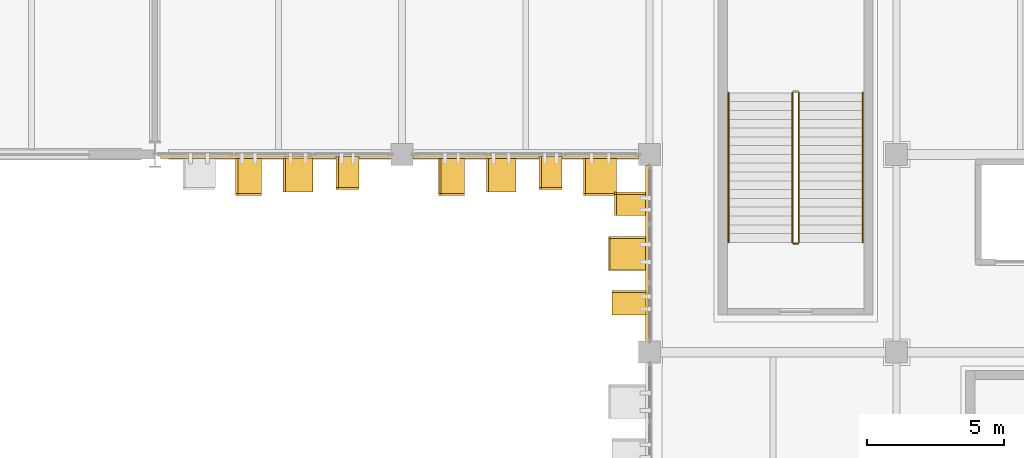
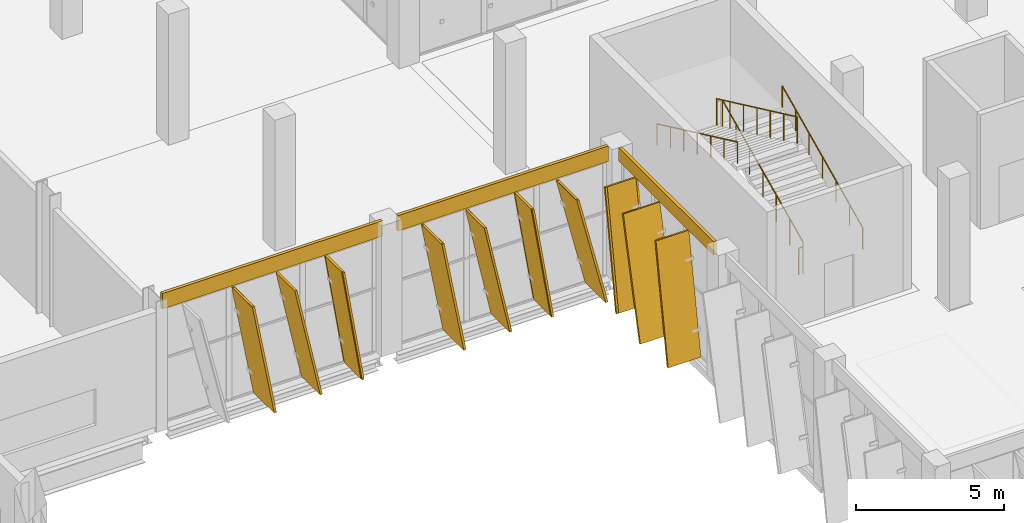
# One storey, part 115 of 137: 13 coverings, 10 shading devices, 5 railings.
"""IFC4 building model written with IfcOpenShell, lengths in metres."""

from ifc_helpers import new_model, si_unit, direction, frame, origin, origin_2d, place, context, subcontext, project, spatial, rectangle, circle, extrude, material, layer, layer_set, material_profile, profile_set, type_object, element, save


model = new_model("IFC4")

# Units and contexts
model_context = context("Model", 3, precision=1e-05, world=origin(), true_north=direction((0.0, 1.0)))
body_context = subcontext(model_context, "Body", "Model", "MODEL_VIEW")
ifc_project = project(units=[si_unit("LENGTHUNIT", "METRE"), si_unit("AREAUNIT", "SQUARE_METRE"), si_unit("VOLUMEUNIT", "CUBIC_METRE"), si_unit("PLANEANGLEUNIT", "RADIAN"), si_unit("MASSUNIT", "GRAM", prefix="KILO")], contexts=[model_context])

# Site, building, storey
site_placement = place(None, origin())
site = spatial("IfcSite", under=ifc_project, at=site_placement, CompositionType="ELEMENT")
building_placement = place(site_placement, origin())
building = spatial("IfcBuilding", under=site, at=building_placement, Name="Celestram Park Convention Centre", CompositionType="ELEMENT")
storey_placement = place(building_placement, origin())
storey = spatial("IfcBuildingStorey", under=building, at=storey_placement, Name="L00", CompositionType="ELEMENT", Elevation=0.0)

# Coverings
ifc_material_1 = material(Name="Anodised Bronze Aluminium Spandrel Cladding", Category="aluminium")
ifc_layer_1 = layer(ifc_material_1, 0.050048828125)
ifc_layer_set_1 = layer_set([ifc_layer_1], Name="Anodised Bronze Aluminium Spandrel Cladding")
covering_type_1 = type_object("IfcCoveringType", Name="ARC-COV-CLD060", PredefinedType="CLADDING", material=ifc_layer_set_1)
covering_1_placement = place(storey_placement, frame((143.919921875, 18.0, 4.840087890625), z_axis=(0.0, 0.0, 1.0), x_axis=(0.0, 1.0, 0.0)))
element("IfcCovering", 1, at=covering_1_placement, inside=storey, type_object=covering_type_1, Name="Bronze spandrel cladding CL-L00-035", PredefinedType="CLADDING", context=body_context, shape_type="SweptSolid", body=[
    extrude(rectangle(XDim=6.404052734375, YDim=0.1201171875, at=origin_2d()), origin(), (0.0, 0.0, 1.0), 0.56005859375),
])
covering_2_placement = place(storey_placement, frame((139.5, 21.52001953125, 4.76708984375), z_axis=(0.0, 0.0, 1.0), x_axis=(-1.0, 0.0, 0.0)))
element("IfcCovering", 2, at=covering_2_placement, inside=storey, type_object=covering_type_1, Name="Bronze spandrel cladding CL-L00-036", PredefinedType="CLADDING", context=body_context, shape_type="SweptSolid", body=[
    extrude(rectangle(XDim=8.2041015625, YDim=0.1201171875, at=origin_2d()), origin(), (0.0, 0.0, 1.0), 0.633056640625),
])
covering_3_placement = place(storey_placement, frame((130.5, 21.52001953125, 4.76708984375), z_axis=(0.0, 0.0, 1.0), x_axis=(-1.0, 0.0, 0.0)))
element("IfcCovering", 3, at=covering_3_placement, inside=storey, type_object=covering_type_1, Name="Bronze spandrel cladding CL-L00-037", PredefinedType="CLADDING", context=body_context, shape_type="SweptSolid", body=[
    extrude(rectangle(XDim=8.592041015625, YDim=0.1201171875, at=origin_2d()), origin(), (0.0, 0.0, 1.0), 0.633056640625),
])
ifc_material_2 = material(Name="Timber-Toned Anodised Aluminium Alloy 6063-T6", Category="wood")
ifc_material_profile_1 = material_profile(ifc_material_2, rectangle(XDim=1.1201171875, YDim=0.090087890625, at=origin_2d()), Name="REED1120X90")
ifc_profile_set_1 = profile_set([ifc_material_profile_1], Name="Timber-Toned Anodised Aluminium Alloy 6063-T6")
covering_type_2 = type_object("IfcCoveringType", Name="ARC-COV-FIN1120", PredefinedType="CLADDING", material=ifc_profile_set_1)
covering_4_placement = place(storey_placement, frame((143.360107421875, 19.41552734375, 0.035888671875), z_axis=(0.0, 0.159878683359, 0.987136670683), x_axis=(-1.0, 0.0, 0.0)))
element("IfcCovering", 4, at=covering_4_placement, inside=storey, type_object=covering_type_2, Name="Leaning timber-toned reed fin RFN-L00-0119", PredefinedType="CLADDING", context=body_context, shape_type="SweptSolid", body=[
    extrude(rectangle(XDim=1.1201171875, YDim=0.090087890625, at=origin_2d()), origin(), (0.0, 0.0, 1.0), 4.81005859375),
])
for number, where, z_axis, x_axis, name in (
    (5, (140.77880859375, 20.9599609375, 0.035400390625), (-0.159925930182, 0.0, 0.98712901733), (0.0, -1.0, 0.0), "Leaning timber-toned reed fin RFN-L00-0121"),
    (6, (133.384765625, 20.9599609375, 0.035400390625), (-0.159925930182, 0.0, 0.98712901733), (0.0, -1.0, 0.0), "Leaning timber-toned reed fin RFN-L00-0124"),
):
    element("IfcCovering", number, at=place(storey_placement, frame(where, z_axis=z_axis, x_axis=x_axis)), inside=storey, type_object=covering_type_2, Name=name, PredefinedType="CLADDING", context=body_context, shape_type="SweptSolid", body=[
        extrude(rectangle(XDim=1.1201171875, YDim=0.090087890625, at=origin_2d()), origin(), (0.0, 0.0, 1.0), 4.737060546875),
    ])
ifc_material_profile_2 = material_profile(ifc_material_2, rectangle(XDim=1.280029296875, YDim=0.090087890625, at=origin_2d()), Name="REED1280X90")
ifc_profile_set_2 = profile_set([ifc_material_profile_2], Name="Timber-Toned Anodised Aluminium Alloy 6063-T6")
covering_type_3 = type_object("IfcCoveringType", Name="ARC-COV-FIN1280", PredefinedType="CLADDING", material=ifc_profile_set_2)
covering_5_placement = place(storey_placement, frame((143.280029296875, 15.79052734375, 0.0400390625), z_axis=(0.0, 0.170240052999, 0.985402620432), x_axis=(-1.0, 0.0, 0.0)))
element("IfcCovering", 7, at=covering_5_placement, inside=storey, type_object=covering_type_3, Name="Leaning timber-toned reed fin RFN-L00-0117", PredefinedType="CLADDING", context=body_context, shape_type="SweptSolid", body=[
    extrude(rectangle(XDim=1.280029296875, YDim=0.090087890625, at=origin_2d()), origin(), (0.0, 0.0, 1.0), 4.81005859375),
])
for number, where, z_axis, x_axis, name in (
    (8, (139.096435546875, 20.8798828125, 0.0576171875), (-0.209606521321, 0.0, 0.977785818173), (0.0, -1.0, 0.0), "Leaning timber-toned reed fin RFN-L00-0122"),
    (9, (131.702392578125, 20.8798828125, 0.0576171875), (-0.209606521321, 0.0, 0.977785818173), (0.0, -1.0, 0.0), "Leaning timber-toned reed fin RFN-L00-0125"),
):
    element("IfcCovering", number, at=place(storey_placement, frame(where, z_axis=z_axis, x_axis=x_axis)), inside=storey, type_object=covering_type_3, Name=name, PredefinedType="CLADDING", context=body_context, shape_type="SweptSolid", body=[
        extrude(rectangle(XDim=1.280029296875, YDim=0.090087890625, at=origin_2d()), origin(), (0.0, 0.0, 1.0), 4.737060546875),
    ])
ifc_material_profile_3 = material_profile(ifc_material_2, rectangle(XDim=1.419921875, YDim=0.090087890625, at=origin_2d()), Name="REED1420X90")
ifc_profile_set_3 = profile_set([ifc_material_profile_3], Name="Timber-Toned Anodised Aluminium Alloy 6063-T6")
covering_type_4 = type_object("IfcCoveringType", Name="ARC-COV-FIN1420", PredefinedType="CLADDING", material=ifc_profile_set_3)
covering_6_placement = place(storey_placement, frame((143.2099609375, 17.42626953125, 0.074462890625), z_axis=(0.0, 0.238556647816, 0.971128583547), x_axis=(-1.0, 0.0, 0.0)))
element("IfcCovering", 10, at=covering_6_placement, inside=storey, type_object=covering_type_4, Name="Leaning timber-toned reed fin RFN-L00-0118", PredefinedType="CLADDING", context=body_context, shape_type="SweptSolid", body=[
    extrude(rectangle(XDim=1.419921875, YDim=0.090087890625, at=origin_2d()), origin(), (0.0, 0.0, 1.0), 4.81005859375),
])
covering_7_placement = place(storey_placement, frame((142.764892578125, 20.81005859375, 0.073486328125), z_axis=(-0.238531557545, 0.0, 0.971134746601), x_axis=(0.0, -1.0, 0.0)))
element("IfcCovering", 11, at=covering_7_placement, inside=storey, type_object=covering_type_4, Name="Leaning timber-toned reed fin RFN-L00-0120", PredefinedType="CLADDING", context=body_context, shape_type="SweptSolid", body=[
    extrude(rectangle(XDim=1.419921875, YDim=0.090087890625, at=origin_2d()), origin(), (0.0, 0.0, 1.0), 4.73681640625),
])
for number, where, z_axis, x_axis, name in (
    (12, (137.2275390625, 20.81005859375, 0.0439453125), (-0.180540613043, 0.0, 0.983567530494), (0.0, -1.0, 0.0), "Leaning timber-toned reed fin RFN-L00-0123"),
    (13, (129.83349609375, 20.81005859375, 0.0439453125), (-0.180490753396, 0.0, 0.98357668127), (0.0, -1.0, 0.0), "Leaning timber-toned reed fin RFN-L00-0126"),
):
    element("IfcCovering", number, at=place(storey_placement, frame(where, z_axis=z_axis, x_axis=x_axis)), inside=storey, type_object=covering_type_4, Name=name, PredefinedType="CLADDING", context=body_context, shape_type="SweptSolid", body=[
        extrude(rectangle(XDim=1.419921875, YDim=0.090087890625, at=origin_2d()), origin(), (0.0, 0.0, 1.0), 4.737060546875),
    ])

# Shading devices
ifc_material_3 = material(Name="Anodised Bronze Aluminium Alloy 6063-T6", Category="aluminium")
ifc_material_profile_4 = material_profile(ifc_material_3, rectangle(XDim=1.280029296875, YDim=0.080078125, at=origin_2d()), Name="FIN1280X80")
ifc_profile_set_4 = profile_set([ifc_material_profile_4], Name="Anodised Bronze Aluminium Alloy 6063-T6")
shading_device_type = type_object("IfcShadingDeviceType", Name="ARC-FIN-BZ1280", PredefinedType="USERDEFINED", material=ifc_profile_set_4)
for number, where, z_axis, x_axis, name in (
    (14, (143.280029296875, 15.79052734375, 0.0400390625), (0.0, 0.170240052999, 0.985402620432), (-1.0, 0.0, 0.0), "Expressive solar fin FN-L00-0117"),
    (15, (143.2099609375, 17.42626953125, 0.074462890625), (0.0, 0.238556647816, 0.971128583547), (-1.0, 0.0, 0.0), "Expressive solar fin FN-L00-0118"),
    (16, (143.360107421875, 19.41552734375, 0.035888671875), (0.0, 0.159878683359, 0.987136670683), (-1.0, 0.0, 0.0), "Expressive solar fin FN-L00-0119"),
):
    element("IfcShadingDevice", number, at=place(storey_placement, frame(where, z_axis=z_axis, x_axis=x_axis)), inside=storey, type_object=shading_device_type, Name=name, ObjectType="SOLAR_FIN", PredefinedType="USERDEFINED", context=body_context, shape_type="SweptSolid", body=[
        extrude(rectangle(XDim=1.280029296875, YDim=0.080078125, at=origin_2d()), origin(), (0.0, 0.0, 1.0), 4.81005859375),
    ])
shading_device_placement = place(storey_placement, frame((142.764892578125, 20.81005859375, 0.073486328125), z_axis=(-0.238531557545, 0.0, 0.971134746601), x_axis=(0.0, -1.0, 0.0)))
element("IfcShadingDevice", 17, at=shading_device_placement, inside=storey, type_object=shading_device_type, Name="Expressive solar fin FN-L00-0120", ObjectType="SOLAR_FIN", PredefinedType="USERDEFINED", context=body_context, shape_type="SweptSolid", body=[
    extrude(rectangle(XDim=1.280029296875, YDim=0.080078125, at=origin_2d()), origin(), (0.0, 0.0, 1.0), 4.73681640625),
])
for number, where, z_axis, x_axis, name in (
    (18, (140.77880859375, 20.9599609375, 0.035400390625), (-0.159925930182, 0.0, 0.98712901733), (0.0, -1.0, 0.0), "Expressive solar fin FN-L00-0121"),
    (19, (139.096435546875, 20.8798828125, 0.0576171875), (-0.209606521321, 0.0, 0.977785818173), (0.0, -1.0, 0.0), "Expressive solar fin FN-L00-0122"),
    (20, (137.2275390625, 20.81005859375, 0.0439453125), (-0.180540613043, 0.0, 0.983567530494), (0.0, -1.0, 0.0), "Expressive solar fin FN-L00-0123"),
    (21, (133.384765625, 20.9599609375, 0.035400390625), (-0.159925930182, 0.0, 0.98712901733), (0.0, -1.0, 0.0), "Expressive solar fin FN-L00-0124"),
    (22, (131.702392578125, 20.8798828125, 0.0576171875), (-0.209606521321, 0.0, 0.977785818173), (0.0, -1.0, 0.0), "Expressive solar fin FN-L00-0125"),
    (23, (129.83349609375, 20.81005859375, 0.0439453125), (-0.180490753396, 0.0, 0.98357668127), (0.0, -1.0, 0.0), "Expressive solar fin FN-L00-0126"),
):
    element("IfcShadingDevice", number, at=place(storey_placement, frame(where, z_axis=z_axis, x_axis=x_axis)), inside=storey, type_object=shading_device_type, Name=name, ObjectType="SOLAR_FIN", PredefinedType="USERDEFINED", context=body_context, shape_type="SweptSolid", body=[
        extrude(rectangle(XDim=1.280029296875, YDim=0.080078125, at=origin_2d()), origin(), (0.0, 0.0, 1.0), 4.737060546875),
    ])

# Railings
ifc_material_4 = material(Name="Stainless Steel AISI 316L & Laminated Glass", Category="steel")
ifc_layer_2 = layer(ifc_material_4, 0.06005859375)
ifc_layer_set_2 = layer_set([ifc_layer_2], Name="Stainless Steel AISI 316L & Laminated Glass")
railing_type_1 = type_object("IfcRailingType", Name="ARC-RL-GRD1120", PredefinedType="GUARDRAIL", material=ifc_layer_set_2)
railing_1_placement = place(storey_placement, frame((149.43603515625, 18.39990234375, 0.14990234375)))
element("IfcRailing", 24, at=railing_1_placement, inside=storey, type_object=railing_type_1, Name="L00 ST-06 stair guard 1", PredefinedType="GUARDRAIL", context=body_context, shape_type="SweptSolid", body=[
    extrude(circle(Radius=0.02392578125, at=origin_2d()), frame((0.0, 0.0, 1.09619140625), z_axis=(0.0, 0.905461375974, 0.424428670827), x_axis=(-1.0, 0.0, 0.0)), (0.0, 0.0, 1.0), 6.00830078125),
    extrude(circle(Radius=0.02099609375, at=origin_2d()), origin(), (0.0, 0.0, 1.0), 1.072021484375),
    extrude(circle(Radius=0.02099609375, at=origin_2d()), frame((0.0, 0.90673828125, 0.425048828125)), (0.0, 0.0, 1.0), 1.072021484375),
    extrude(circle(Radius=0.02099609375, at=origin_2d()), frame((0.0, 1.8134765625, 0.85009765625)), (0.0, 0.0, 1.0), 1.072021484375),
    extrude(circle(Radius=0.02099609375, at=origin_2d()), frame((0.0, 2.72021484375, 1.27490234375)), (0.0, 0.0, 1.0), 1.072021484375),
    extrude(circle(Radius=0.02099609375, at=origin_2d()), frame((0.0, 3.626708984375, 1.699951171875)), (0.0, 0.0, 1.0), 1.072021484375),
    extrude(circle(Radius=0.02099609375, at=origin_2d()), frame((0.0, 4.533447265625, 2.125)), (0.0, 0.0, 1.0), 1.072021484375),
    extrude(circle(Radius=0.02099609375, at=origin_2d()), frame((0.0, 5.440185546875, 2.550048828125)), (0.0, 0.0, 1.0), 1.072021484375),
])
railing_2_placement = place(storey_placement, frame((149.2041015625, 23.840087890625, 2.85009765625)))
element("IfcRailing", 25, at=railing_2_placement, inside=storey, type_object=railing_type_1, Name="L00 ST-06 stair guard 3", PredefinedType="GUARDRAIL", context=body_context, shape_type="SweptSolid", body=[
    extrude(circle(Radius=0.02392578125, at=origin_2d()), frame((0.0, 0.0, 1.09619140625), z_axis=(0.0, -0.90547699167, 0.424395355248), x_axis=(1.0, 0.0, 0.0)), (0.0, 0.0, 1.0), 6.008056640625),
    extrude(circle(Radius=0.02099609375, at=origin_2d()), origin(), (0.0, 0.0, 1.0), 1.072021484375),
    extrude(circle(Radius=0.02099609375, at=origin_2d()), frame((0.0, -0.90673828125, 0.425048828125)), (0.0, 0.0, 1.0), 1.072021484375),
    extrude(circle(Radius=0.02099609375, at=origin_2d()), frame((0.0, -1.8134765625, 0.849853515625)), (0.0, 0.0, 1.0), 1.072021484375),
    extrude(circle(Radius=0.02099609375, at=origin_2d()), frame((0.0, -2.72021484375, 1.27490234375)), (0.0, 0.0, 1.0), 1.072021484375),
    extrude(circle(Radius=0.02099609375, at=origin_2d()), frame((0.0, -3.626708984375, 1.699951171875)), (0.0, 0.0, 1.0), 1.072021484375),
    extrude(circle(Radius=0.02099609375, at=origin_2d()), frame((0.0, -4.533447265625, 2.124755859375)), (0.0, 0.0, 1.0), 1.072021484375),
    extrude(circle(Radius=0.02099609375, at=origin_2d()), frame((0.0, -5.440185546875, 2.5498046875)), (0.0, 0.0, 1.0), 1.072021484375),
])
railing_3_placement = place(storey_placement, frame((149.39990234375, 18.35009765625, 0.0)))
element("IfcRailing", 26, at=railing_3_placement, inside=storey, type_object=railing_type_1, Name="L00 ST-06 stair guard 4", PredefinedType="GUARDRAIL", context=body_context, shape_type="SweptSolid", body=[
    extrude(circle(Radius=0.02392578125, at=origin_2d()), frame((0.0, 0.0, 1.09619140625), z_axis=(-1.0, 0.0, 0.0), x_axis=(0.0, -1.0, 0.0)), (0.0, 0.0, 1.0), 0.159912109375),
    extrude(circle(Radius=0.02099609375, at=origin_2d()), origin(), (0.0, 0.0, 1.0), 1.072021484375),
    extrude(circle(Radius=0.02099609375, at=origin_2d()), frame((-0.159912109375, 0.0, 0.0)), (0.0, 0.0, 1.0), 1.072021484375),
])
ifc_material_5 = material(Name="Brushed Stainless Steel AISI 304", Category="steel")
ifc_layer_3 = layer(ifc_material_5, 0.048095703125)
ifc_layer_set_3 = layer_set([ifc_layer_3], Name="Brushed Stainless Steel AISI 304")
railing_type_2 = type_object("IfcRailingType", Name="ARC-RL-HND915", PredefinedType="HANDRAIL", material=ifc_layer_set_3)
railing_4_placement = place(storey_placement, frame((151.763916015625, 18.39990234375, 0.14990234375)))
element("IfcRailing", 27, at=railing_4_placement, inside=storey, type_object=railing_type_2, Name="L00 ST-06 stair handrail 1", PredefinedType="HANDRAIL", context=body_context, shape_type="SweptSolid", body=[
    extrude(circle(Radius=0.02392578125, at=origin_2d()), frame((0.0, 0.0, 0.8759765625), z_axis=(0.0, 0.905461375974, 0.424428670827), x_axis=(-1.0, 0.0, 0.0)), (0.0, 0.0, 1.0), 6.00830078125),
    extrude(circle(Radius=0.02099609375, at=origin_2d()), origin(), (0.0, 0.0, 1.0), 0.851806640625),
    extrude(circle(Radius=0.02099609375, at=origin_2d()), frame((0.0, 0.90673828125, 0.425048828125)), (0.0, 0.0, 1.0), 0.851806640625),
    extrude(circle(Radius=0.02099609375, at=origin_2d()), frame((0.0, 1.8134765625, 0.85009765625)), (0.0, 0.0, 1.0), 0.851806640625),
    extrude(circle(Radius=0.02099609375, at=origin_2d()), frame((0.0, 2.72021484375, 1.27490234375)), (0.0, 0.0, 1.0), 0.851806640625),
    extrude(circle(Radius=0.02099609375, at=origin_2d()), frame((0.0, 3.626708984375, 1.699951171875)), (0.0, 0.0, 1.0), 0.851806640625),
    extrude(circle(Radius=0.02099609375, at=origin_2d()), frame((0.0, 4.533447265625, 2.125)), (0.0, 0.0, 1.0), 0.851806640625),
    extrude(circle(Radius=0.02099609375, at=origin_2d()), frame((0.0, 5.440185546875, 2.550048828125)), (0.0, 0.0, 1.0), 0.851806640625),
])
railing_5_placement = place(storey_placement, frame((146.8759765625, 23.840087890625, 2.85009765625)))
element("IfcRailing", 28, at=railing_5_placement, inside=storey, type_object=railing_type_2, Name="L00 ST-06 stair handrail 2", PredefinedType="HANDRAIL", context=body_context, shape_type="SweptSolid", body=[
    extrude(circle(Radius=0.02392578125, at=origin_2d()), frame((0.0, 0.0, 0.8759765625), z_axis=(0.0, -0.90547699167, 0.424395355248), x_axis=(1.0, 0.0, 0.0)), (0.0, 0.0, 1.0), 6.008056640625),
    extrude(circle(Radius=0.02099609375, at=origin_2d()), origin(), (0.0, 0.0, 1.0), 0.851806640625),
    extrude(circle(Radius=0.02099609375, at=origin_2d()), frame((0.0, -0.90673828125, 0.425048828125)), (0.0, 0.0, 1.0), 0.851806640625),
    extrude(circle(Radius=0.02099609375, at=origin_2d()), frame((0.0, -1.8134765625, 0.849853515625)), (0.0, 0.0, 1.0), 0.851806640625),
    extrude(circle(Radius=0.02099609375, at=origin_2d()), frame((0.0, -2.72021484375, 1.27490234375)), (0.0, 0.0, 1.0), 0.851806640625),
    extrude(circle(Radius=0.02099609375, at=origin_2d()), frame((0.0, -3.626708984375, 1.699951171875)), (0.0, 0.0, 1.0), 0.851806640625),
    extrude(circle(Radius=0.02099609375, at=origin_2d()), frame((0.0, -4.533447265625, 2.124755859375)), (0.0, 0.0, 1.0), 0.851806640625),
    extrude(circle(Radius=0.02099609375, at=origin_2d()), frame((0.0, -5.440185546875, 2.5498046875)), (0.0, 0.0, 1.0), 0.851806640625),
])

save(model, "model.ifc")
